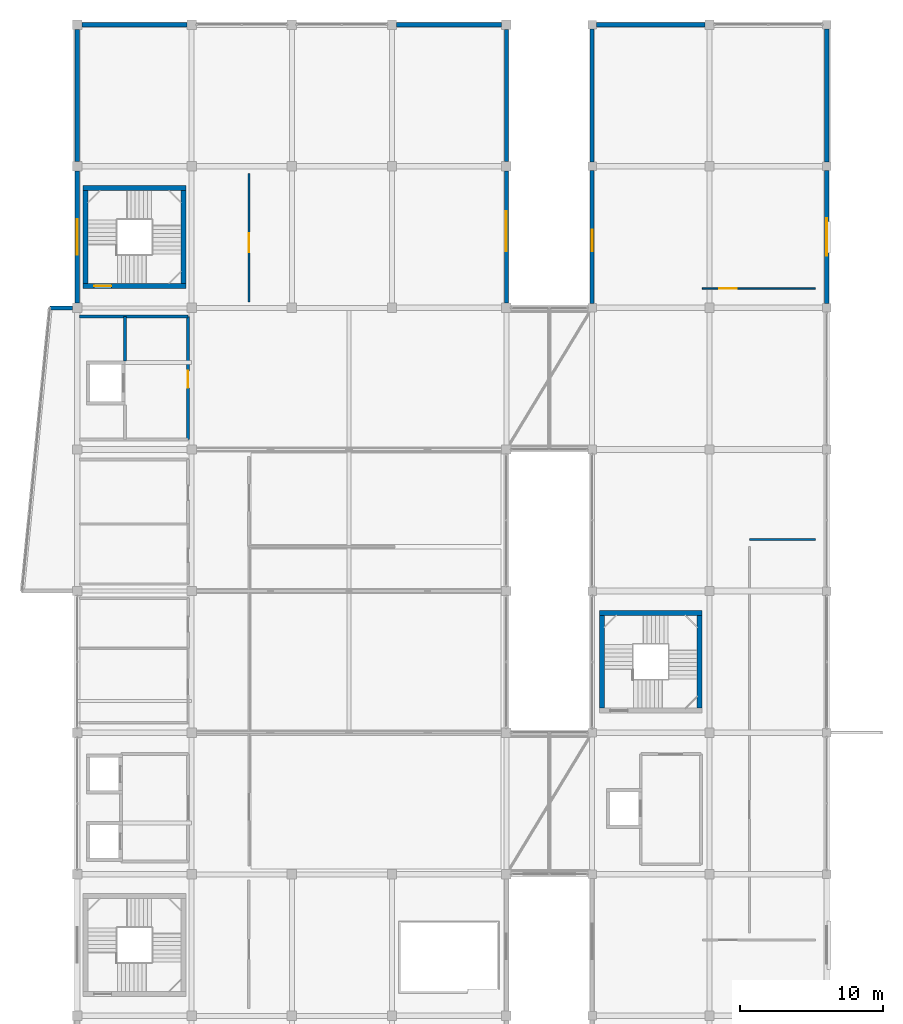
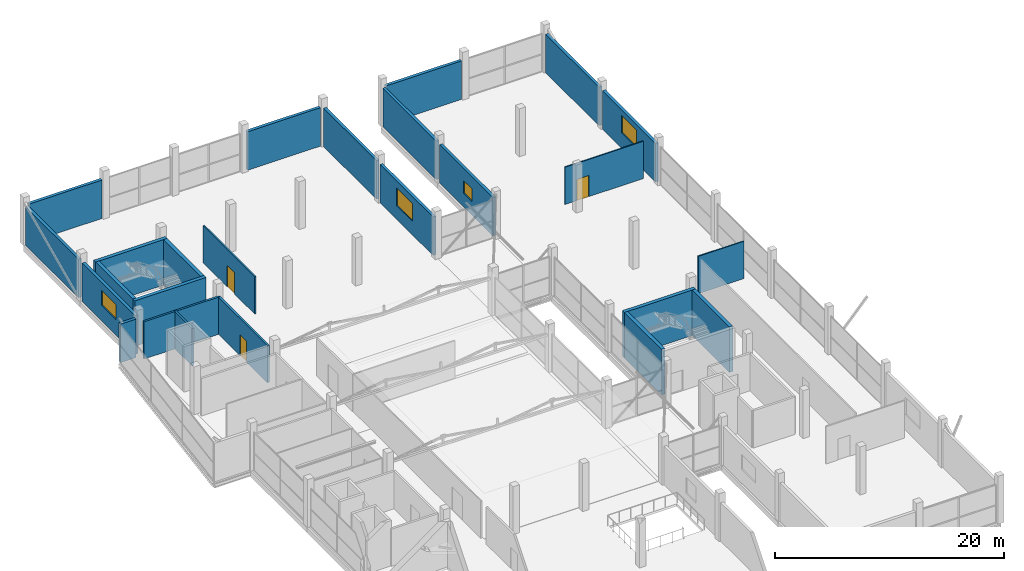
# One storey, part 49 of 58: 25 walls, 4 doors, 4 windows, 8 openings.
"""IFC4 building model written with IfcOpenShell, lengths in metres."""

from ifc_helpers import new_model, si_unit, direction, frame, frame_2d, origin, place, context, subcontext, project, spatial, rectangle, extrude, material, layer, layer_set, type_object, element, fill, save


model = new_model("IFC4")

# Units and contexts
model_context = context("Model", 3, precision=1e-05, world=origin(), true_north=direction((0.0, 1.0)))
body_context = subcontext(model_context, "Body", "Model", "MODEL_VIEW")
ifc_project = project(units=[si_unit("LENGTHUNIT", "METRE"), si_unit("AREAUNIT", "SQUARE_METRE"), si_unit("VOLUMEUNIT", "CUBIC_METRE"), si_unit("PLANEANGLEUNIT", "RADIAN"), si_unit("MASSUNIT", "GRAM", prefix="KILO")], contexts=[model_context])

# Site, building, storey
site_placement = place(None, origin())
site = spatial("IfcSite", under=ifc_project, at=site_placement, CompositionType="ELEMENT")
building_placement = place(site_placement, origin())
building = spatial("IfcBuilding", under=site, at=building_placement, Name="Sillaruma Civic Art Gallery", CompositionType="ELEMENT")
storey_placement = place(building_placement, frame((0.0, 0.0, 52.02001953125)))
storey = spatial("IfcBuildingStorey", under=building, at=storey_placement, Name="L10", CompositionType="ELEMENT", Elevation=52.02001953125)

# Wall, opening, door
ifc_material_1 = material(Name="Concrete H40 (40 MPa)", Category="concrete")
ifc_layer_1 = layer(ifc_material_1, 0.35009765625, Name="Concrete H40 (40 MPa)")
ifc_layer_set_1 = layer_set([ifc_layer_1], Name="Concrete H40 (40 MPa)")
wall_type_1 = type_object("IfcWallType", Name="WAL-CORE-350", PredefinedType="SHEAR", material=ifc_layer_set_1)
wall_1_placement = place(storey_placement, frame((62.409912109375, 80.735107421875, 0.0), z_axis=(0.0, 0.0, 1.0), x_axis=(1.0, 0.0, 0.0)))
wall_1 = element("IfcWall", 1, at=wall_1_placement, inside=storey, type_object=wall_type_1, Name="Stair Core Shear Wall W-CORE-350 (ST-02:L10:S)", PredefinedType="SHEAR", context=body_context, shape_type="SweptSolid", body=[
    extrude(rectangle(XDim=7.18017578125, YDim=0.35009765625, at=frame_2d((3.590087890625, 0.0))), origin(), (0.0, 0.0, 1.0), 4.85009765625),
])
opening_1_placement = place(wall_1_placement, frame((0.77001953125, 0.0, 0.0)))
opening_1 = element("IfcOpeningElement", 2, at=opening_1_placement, cuts=wall_1, Name="Opening D-STAIR", PredefinedType="OPENING", context=body_context, shape_type="SweptSolid", body=[
    extrude(rectangle(XDim=1.199951171875, YDim=2.199951171875, at=frame_2d((0.60009765625, 1.10009765625))), frame((0.0, 0.18505859375, 0.0), z_axis=(0.0, -1.0, 0.0), x_axis=(1.0, 0.0, 0.0)), (0.0, 0.0, 1.0), 0.3701171875),
])
ifc_material_2 = material(Name="Galvanised Steel ASTM A653 Gr.50", Category="steel")
door_type_1 = type_object("IfcDoorType", Name="DOR-STAIR-120", OperationType="NOTDEFINED", PredefinedType="DOOR", material=ifc_material_2)
door_1_placement = place(opening_1_placement, origin())
door_1 = element("IfcDoor", 3, at=door_1_placement, inside=storey, type_object=door_type_1, Name="Protected Stair Fire Door (ST-02:L10)", OperationType="SINGLE_SWING_RIGHT", OverallHeight=2.199951171875, OverallWidth=1.199951171875, PredefinedType="DOOR", context=body_context, shape_type="SweptSolid", body=[
    extrude(rectangle(XDim=1.199951171875, YDim=2.199951171875, at=frame_2d((0.60009765625, 1.10009765625))), frame((0.0, 0.02490234375, 0.0), z_axis=(0.0, -1.0, 0.0), x_axis=(1.0, 0.0, 0.0)), (0.0, 0.0, 1.0), 0.050048828125),
])
fill(opening_1, door_1)

# Walls
wall_2_placement = place(storey_placement, frame((62.409912109375, 87.56494140625, 0.0), z_axis=(0.0, 0.0, 1.0), x_axis=(1.0, 0.0, 0.0)))
element("IfcWall", 4, at=wall_2_placement, inside=storey, type_object=wall_type_1, Name="Stair Core Shear Wall W-CORE-350 (ST-02:L10:N)", PredefinedType="SHEAR", context=body_context, shape_type="SweptSolid", body=[
    extrude(rectangle(XDim=7.18017578125, YDim=0.35009765625, at=frame_2d((3.590087890625, 0.0))), origin(), (0.0, 0.0, 1.0), 4.85009765625),
])
for number, where, z_axis, x_axis, name in (
    (5, (62.5849609375, 80.909912109375, 0.0), (0.0, 0.0, 1.0), (0.0, 1.0, 0.0), "Stair Core Shear Wall W-CORE-350 (ST-02:L10:W)"),
    (6, (69.4150390625, 80.909912109375, 0.0), (0.0, 0.0, 1.0), (0.0, 1.0, 0.0), "Stair Core Shear Wall W-CORE-350 (ST-02:L10:E)"),
):
    element("IfcWall", number, at=place(storey_placement, frame(where, z_axis=z_axis, x_axis=x_axis)), inside=storey, type_object=wall_type_1, Name=name, PredefinedType="SHEAR", context=body_context, shape_type="SweptSolid", body=[
        extrude(rectangle(XDim=6.47998046875, YDim=0.35009765625, at=frame_2d((3.239990234375, 0.0))), origin(), (0.0, 0.0, 1.0), 4.85009765625),
    ])
wall_3_placement = place(storey_placement, frame((98.510009765625, 57.864990234375, 0.0), z_axis=(0.0, 0.0, 1.0), x_axis=(1.0, 0.0, 0.0)))
element("IfcWall", 7, at=wall_3_placement, inside=storey, type_object=wall_type_1, Name="Stair Core Shear Wall W-CORE-350 (ST-04:L10:N)", PredefinedType="SHEAR", context=body_context, shape_type="SweptSolid", body=[
    extrude(rectangle(XDim=7.179931640625, YDim=0.35009765625, at=frame_2d((3.58984375, 0.0))), origin(), (0.0, 0.0, 1.0), 4.85009765625),
])
for number, where, z_axis, x_axis, name in (
    (8, (98.68505859375, 51.2099609375, 0.0), (0.0, 0.0, 1.0), (0.0, 1.0, 0.0), "Stair Core Shear Wall W-CORE-350 (ST-04:L10:W)"),
    (9, (105.514892578125, 51.2099609375, 0.0), (0.0, 0.0, 1.0), (0.0, 1.0, 0.0), "Stair Core Shear Wall W-CORE-350 (ST-04:L10:E)"),
):
    element("IfcWall", number, at=place(storey_placement, frame(where, z_axis=z_axis, x_axis=x_axis)), inside=storey, type_object=wall_type_1, Name=name, PredefinedType="SHEAR", context=body_context, shape_type="SweptSolid", body=[
        extrude(rectangle(XDim=6.47998046875, YDim=0.35009765625, at=frame_2d((3.239990234375, 0.0))), origin(), (0.0, 0.0, 1.0), 4.85009765625),
    ])

# Wall, opening, window
ifc_material_3 = material(Name="Concrete H35 (35 MPa)", Category="concrete")
ifc_layer_2 = layer(ifc_material_3, 0.159912109375, Name="Concrete backup", Category="concrete")
ifc_material_4 = material(Name="Mineral Wool Thermal Insulation", Category="insulation")
ifc_layer_3 = layer(ifc_material_4, 0.090087890625, Name="Thermal insulation", Category="insulation")
ifc_material_5 = material(Name="Anodised Zinc-Aluminium Alloy", Category="aluminium")
ifc_layer_4 = layer(ifc_material_5, 0.030029296875, Name="Rainscreen finish", Category="aluminium")
ifc_layer_set_2 = layer_set([ifc_layer_2, ifc_layer_3, ifc_layer_4], Name="W-EXT-280")
wall_type_2 = type_object("IfcWallType", Name="WAL-EXT-280", PredefinedType="SOLIDWALL", material=ifc_layer_set_2)
wall_4_placement = place(storey_placement, frame((92.0, 79.52490234375, 0.0), z_axis=(0.0, 0.0, 1.0), x_axis=(0.0, 1.0, 0.0)))
wall_4 = element("IfcWall", 10, at=wall_4_placement, inside=storey, type_object=wall_type_2, Name="Exterior Wall W-EXT-280 (EW-L10-WBE-7)", PredefinedType="SOLIDWALL", context=body_context, shape_type="SweptSolid", body=[
    extrude(rectangle(XDim=9.25, YDim=0.280029296875, at=frame_2d((4.625, 0.0))), origin(), (0.0, 0.0, 1.0), 4.10009765625),
])
opening_2_placement = place(wall_4_placement, frame((3.625, 0.0, 1.449951171875)))
opening_2 = element("IfcOpeningElement", 11, at=opening_2_placement, cuts=wall_4, Name="Opening WN-09", PredefinedType="OPENING", context=body_context, shape_type="SweptSolid", body=[
    extrude(rectangle(XDim=2.800048828125, YDim=1.89990234375, at=frame_2d((1.39990234375, 0.949951171875))), frame((0.0, 0.14990234375, 0.0), z_axis=(0.0, -1.0, 0.0), x_axis=(1.0, 0.0, 0.0)), (0.0, 0.0, 1.0), 0.300048828125),
])
ifc_material_6 = material(Name="Thermally Broken Extruded Aluminium 6063-T6", Category="aluminium")
window_type_1 = type_object("IfcWindowType", Name="WIN-W09", PartitioningType="SINGLE_PANEL", PredefinedType="WINDOW", material=ifc_material_6)
window_1_placement = place(opening_2_placement, origin())
window_1 = element("IfcWindow", 12, at=window_1_placement, inside=storey, type_object=window_type_1, Name="Window WN-09 (EW-L10-WBE-7-1)", OverallHeight=1.89990234375, OverallWidth=2.800048828125, PartitioningType="SINGLE_PANEL", PredefinedType="WINDOW", context=body_context, shape_type="SweptSolid", body=[
    extrude(rectangle(XDim=2.800048828125, YDim=1.89990234375, at=frame_2d((1.39990234375, 0.949951171875))), frame((0.0, 0.030029296875, 0.0), z_axis=(0.0, -1.0, 0.0), x_axis=(1.0, 0.0, 0.0)), (0.0, 0.0, 1.0), 0.06005859375),
])
fill(opening_2, window_1)

# Wall
wall_5_placement = place(storey_placement, frame((92.0, 89.425048828125, 0.0), z_axis=(0.0, 0.0, 1.0), x_axis=(0.0, 1.0, 0.0)))
element("IfcWall", 13, at=wall_5_placement, inside=storey, type_object=wall_type_2, Name="Exterior Wall W-EXT-280 (EW-L10-WBE-8)", PredefinedType="SOLIDWALL", context=body_context, shape_type="SweptSolid", body=[
    extrude(rectangle(XDim=9.25, YDim=0.280029296875, at=frame_2d((4.625, 0.0))), origin(), (0.0, 0.0, 1.0), 4.10009765625),
])

# Wall, opening, window
wall_6_placement = place(storey_placement, frame((98.0, 79.5, 0.0), z_axis=(0.0, 0.0, 1.0), x_axis=(0.0, 1.0, 0.0)))
wall_6 = element("IfcWall", 14, at=wall_6_placement, inside=storey, type_object=wall_type_2, Name="Exterior Wall W-EXT-280 (EW-L10-EBW-7)", PredefinedType="SOLIDWALL", context=body_context, shape_type="SweptSolid", body=[
    extrude(rectangle(XDim=9.300048828125, YDim=0.280029296875, at=frame_2d((4.64990234375, 0.0))), origin(), (0.0, 0.0, 1.0), 4.10009765625),
])
opening_3_placement = place(wall_6_placement, frame((3.64990234375, 0.0, 1.449951171875)))
opening_3 = element("IfcOpeningElement", 15, at=opening_3_placement, cuts=wall_6, Name="Opening WN-16", PredefinedType="OPENING", context=body_context, shape_type="SweptSolid", body=[
    extrude(rectangle(XDim=1.5, YDim=1.35009765625, at=frame_2d((0.75, 0.675048828125))), frame((0.0, 0.14990234375, 0.0), z_axis=(0.0, -1.0, 0.0), x_axis=(1.0, 0.0, 0.0)), (0.0, 0.0, 1.0), 0.300048828125),
])
window_type_2 = type_object("IfcWindowType", Name="WIN-W16", PartitioningType="SINGLE_PANEL", PredefinedType="WINDOW", material=ifc_material_6)
window_2_placement = place(opening_3_placement, origin())
window_2 = element("IfcWindow", 16, at=window_2_placement, inside=storey, type_object=window_type_2, Name="Window WN-16 (EW-L10-EBW-7-1)", OverallHeight=1.35009765625, OverallWidth=1.5, PartitioningType="SINGLE_PANEL", PredefinedType="WINDOW", context=body_context, shape_type="SweptSolid", body=[
    extrude(rectangle(XDim=1.5, YDim=1.35009765625, at=frame_2d((0.75, 0.675048828125))), frame((0.0, 0.030029296875, 0.0), z_axis=(0.0, -1.0, 0.0), x_axis=(1.0, 0.0, 0.0)), (0.0, 0.0, 1.0), 0.06005859375),
])
fill(opening_3, window_2)

# Walls
wall_7_placement = place(storey_placement, frame((98.0, 89.39990234375, 0.0), z_axis=(0.0, 0.0, 1.0), x_axis=(0.0, 1.0, 0.0)))
element("IfcWall", 17, at=wall_7_placement, inside=storey, type_object=wall_type_2, Name="Exterior Wall W-EXT-280 (EW-L10-EBW-8)", PredefinedType="SOLIDWALL", context=body_context, shape_type="SweptSolid", body=[
    extrude(rectangle(XDim=9.300048828125, YDim=0.280029296875, at=frame_2d((4.64990234375, 0.0))), origin(), (0.0, 0.0, 1.0), 4.10009765625),
])
wall_8_placement = place(storey_placement, frame((61.675048828125, 79.199951171875, 0.0), z_axis=(0.0, 0.0, 1.0), x_axis=(-1.0, 0.0, 0.0)))
element("IfcWall", 18, at=wall_8_placement, inside=storey, type_object=wall_type_2, Name="Exterior Wall W-EXT-280 (EW-PRW-L10-W-S1)", PredefinedType="SOLIDWALL", context=body_context, shape_type="SweptSolid", body=[
    extrude(rectangle(XDim=1.574951171875, YDim=0.280029296875, at=frame_2d((0.78759765625, 0.0))), origin(), (0.0, 0.0, 1.0), 4.10009765625),
])
ifc_layer_5 = layer(ifc_material_3, 0.169921875, Name="Concrete backup", Category="concrete")
ifc_layer_6 = layer(ifc_material_4, 0.090087890625, Name="Thermal insulation", Category="insulation")
ifc_layer_7 = layer(ifc_material_5, 0.030029296875, Name="Rainscreen finish", Category="aluminium")
ifc_layer_set_3 = layer_set([ifc_layer_5, ifc_layer_6, ifc_layer_7], Name="W-EXT-290")
wall_type_3 = type_object("IfcWallType", Name="WAL-EXT-290", PredefinedType="SOLIDWALL", material=ifc_layer_set_3)
wall_9_placement = place(storey_placement, frame((62.0, 89.425048828125, 0.0), z_axis=(0.0, 0.0, 1.0), x_axis=(0.0, 1.0, 0.0)))
element("IfcWall", 19, at=wall_9_placement, inside=storey, type_object=wall_type_3, Name="Exterior Wall W-EXT-290 (EW-L10-WBW-8)", PredefinedType="SOLIDWALL", context=body_context, shape_type="SweptSolid", body=[
    extrude(rectangle(XDim=9.25, YDim=0.2900390625, at=frame_2d((4.625, 0.0))), origin(), (0.0, 0.0, 1.0), 4.10009765625),
])
wall_10_placement = place(storey_placement, frame((114.39990234375, 89.39990234375, 0.0), z_axis=(0.0, 0.0, 1.0), x_axis=(0.0, 1.0, 0.0)))
element("IfcWall", 20, at=wall_10_placement, inside=storey, type_object=wall_type_3, Name="Exterior Wall W-EXT-290 (EW-L10-EBE-8)", PredefinedType="SOLIDWALL", context=body_context, shape_type="SweptSolid", body=[
    extrude(rectangle(XDim=9.300048828125, YDim=0.2900390625, at=frame_2d((4.64990234375, 0.0))), origin(), (0.0, 0.0, 1.0), 4.10009765625),
])

# Wall, opening, window
ifc_material_7 = material(Name="Precast Concrete H35 (35 MPa)", Category="concrete")
ifc_layer_8 = layer(ifc_material_7, 0.179931640625, Name="Precast backup", Category="concrete")
ifc_layer_9 = layer(ifc_material_4, 0.090087890625, Name="Thermal insulation", Category="insulation")
ifc_material_8 = material(Name="Comanche Granitic Ashlar Stone", Category="masonry")
ifc_layer_10 = layer(ifc_material_8, 0.030029296875, Name="Rainscreen cladding", Category="masonry")
ifc_layer_set_4 = layer_set([ifc_layer_8, ifc_layer_9, ifc_layer_10], Name="W-EXT-300")
wall_type_4 = type_object("IfcWallType", Name="WAL-EXT-300", PredefinedType="SOLIDWALL", material=ifc_layer_set_4)
wall_11_placement = place(storey_placement, frame((62.0, 79.52490234375, 0.0), z_axis=(0.0, 0.0, 1.0), x_axis=(0.0, 1.0, 0.0)))
wall_11 = element("IfcWall", 21, at=wall_11_placement, inside=storey, type_object=wall_type_4, Name="Exterior Wall W-EXT-300 (EW-L10-WBW-7)", PredefinedType="SOLIDWALL", context=body_context, shape_type="SweptSolid", body=[
    extrude(rectangle(XDim=9.25, YDim=0.300048828125, at=frame_2d((4.625, 0.0))), origin(), (0.0, 0.0, 1.0), 4.10009765625),
])
opening_4_placement = place(wall_11_placement, frame((3.375, 0.0, 1.64990234375)))
opening_4 = element("IfcOpeningElement", 22, at=opening_4_placement, cuts=wall_11, Name="Opening WN-11", PredefinedType="OPENING", context=body_context, shape_type="SweptSolid", body=[
    extrude(rectangle(XDim=2.5, YDim=1.60009765625, at=frame_2d((1.25, 0.800048828125))), frame((0.0, 0.159912109375, 0.0), z_axis=(0.0, -1.0, 0.0), x_axis=(1.0, 0.0, 0.0)), (0.0, 0.0, 1.0), 0.320068359375),
])
window_type_3 = type_object("IfcWindowType", Name="WIN-W11", PartitioningType="SINGLE_PANEL", PredefinedType="WINDOW", material=ifc_material_6)
window_3_placement = place(opening_4_placement, origin())
window_3 = element("IfcWindow", 23, at=window_3_placement, inside=storey, type_object=window_type_3, Name="Window WN-11 (EW-L10-WBW-7-1)", OverallHeight=1.60009765625, OverallWidth=2.5, PartitioningType="SINGLE_PANEL", PredefinedType="WINDOW", context=body_context, shape_type="SweptSolid", body=[
    extrude(rectangle(XDim=2.5, YDim=1.60009765625, at=frame_2d((1.25, 0.800048828125))), frame((0.0, 0.030029296875, 0.0), z_axis=(0.0, -1.0, 0.0), x_axis=(1.0, 0.0, 0.0)), (0.0, 0.0, 1.0), 0.06005859375),
])
fill(opening_4, window_3)

# Walls
for number, where, z_axis, x_axis, name in (
    (24, (62.324951171875, 99.0, 0.0), (0.0, 0.0, 1.0), (1.0, 0.0, 0.0), "Exterior Wall W-EXT-300 (EW-L10-WBN-1)"),
    (25, (84.324951171875, 99.0, 0.0), (0.0, 0.0, 1.0), (1.0, 0.0, 0.0), "Exterior Wall W-EXT-300 (EW-L10-WBN-4)"),
):
    element("IfcWall", number, at=place(storey_placement, frame(where, z_axis=z_axis, x_axis=x_axis)), inside=storey, type_object=wall_type_4, Name=name, PredefinedType="SOLIDWALL", context=body_context, shape_type="SweptSolid", body=[
        extrude(rectangle(XDim=7.35009765625, YDim=0.300048828125, at=frame_2d((3.675048828125, 0.0))), origin(), (0.0, 0.0, 1.0), 4.10009765625),
    ])

# Wall, opening, window
wall_12_placement = place(storey_placement, frame((114.39990234375, 79.5, 0.0), z_axis=(0.0, 0.0, 1.0), x_axis=(0.0, 1.0, 0.0)))
wall_12 = element("IfcWall", 26, at=wall_12_placement, inside=storey, type_object=wall_type_4, Name="Exterior Wall W-EXT-300 (EW-L10-EBE-7)", PredefinedType="SOLIDWALL", context=body_context, shape_type="SweptSolid", body=[
    extrude(rectangle(XDim=9.300048828125, YDim=0.300048828125, at=frame_2d((4.64990234375, 0.0))), origin(), (0.0, 0.0, 1.0), 4.10009765625),
])
opening_5_placement = place(wall_12_placement, frame((3.35009765625, 0.0, 1.64990234375)))
opening_5 = element("IfcOpeningElement", 27, at=opening_5_placement, cuts=wall_12, Name="Opening WN-08", PredefinedType="OPENING", context=body_context, shape_type="SweptSolid", body=[
    extrude(rectangle(XDim=2.60009765625, YDim=1.85009765625, at=frame_2d((1.300048828125, 0.925048828125))), frame((0.0, 0.159912109375, 0.0), z_axis=(0.0, -1.0, 0.0), x_axis=(1.0, 0.0, 0.0)), (0.0, 0.0, 1.0), 0.320068359375),
])
window_type_4 = type_object("IfcWindowType", Name="WIN-W08", PartitioningType="SINGLE_PANEL", PredefinedType="WINDOW", material=ifc_material_6)
window_4_placement = place(opening_5_placement, origin())
window_4 = element("IfcWindow", 28, at=window_4_placement, inside=storey, type_object=window_type_4, Name="Window WN-08 (EW-L10-EBE-7-1)", OverallHeight=1.85009765625, OverallWidth=2.60009765625, PartitioningType="SINGLE_PANEL", PredefinedType="WINDOW", context=body_context, shape_type="SweptSolid", body=[
    extrude(rectangle(XDim=2.60009765625, YDim=1.85009765625, at=frame_2d((1.300048828125, 0.925048828125))), frame((0.0, 0.030029296875, 0.0), z_axis=(0.0, -1.0, 0.0), x_axis=(1.0, 0.0, 0.0)), (0.0, 0.0, 1.0), 0.06005859375),
])
fill(opening_5, window_4)

# Walls
wall_13_placement = place(storey_placement, frame((98.300048828125, 99.0, 0.0), z_axis=(0.0, 0.0, 1.0), x_axis=(1.0, 0.0, 0.0)))
element("IfcWall", 29, at=wall_13_placement, inside=storey, type_object=wall_type_4, Name="Exterior Wall W-EXT-300 (EW-L10-EBN-1)", PredefinedType="SOLIDWALL", context=body_context, shape_type="SweptSolid", body=[
    extrude(rectangle(XDim=7.574951171875, YDim=0.300048828125, at=frame_2d((3.78759765625, 0.0))), origin(), (0.0, 0.0, 1.0), 4.10009765625),
])
ifc_material_9 = material(Name="Concrete Masonry Unit Grade M15", Category="masonry")
ifc_layer_11 = layer(ifc_material_9, 0.199951171875, Name="Concrete Masonry Unit Grade M15")
ifc_layer_set_5 = layer_set([ifc_layer_11], Name="Concrete Masonry Unit Grade M15")
wall_type_5 = type_object("IfcWallType", Name="WAL-LOBBY-200", PredefinedType="SOLIDWALL", material=ifc_layer_set_5)
wall_14_placement = place(storey_placement, frame((62.14990234375, 78.60009765625, 0.0), z_axis=(0.0, 0.0, 1.0), x_axis=(1.0, 0.0, 0.0)))
element("IfcWall", 30, at=wall_14_placement, inside=storey, type_object=wall_type_5, Name="Interior Wall W-LOBBY-200 (L10-FFL)", PredefinedType="SOLIDWALL", context=body_context, shape_type="SweptSolid", body=[
    extrude(rectangle(XDim=7.60009765625, YDim=0.199951171875, at=frame_2d((3.800048828125, 0.0))), origin(), (0.0, 0.0, 1.0), 3.969970703125),
])
wall_15_placement = place(storey_placement, frame((65.35009765625, 75.5, 0.0), z_axis=(0.0, 0.0, 1.0), x_axis=(0.0, 1.0, 0.0)))
element("IfcWall", 31, at=wall_15_placement, inside=storey, type_object=wall_type_5, Name="Interior Wall W-LOBBY-200 (L10-FFL)", PredefinedType="SOLIDWALL", context=body_context, shape_type="SweptSolid", body=[
    extrude(rectangle(XDim=3.10009765625, YDim=0.199951171875, at=frame_2d((1.550048828125, 0.0))), origin(), (0.0, 0.0, 1.0), 3.969970703125),
])

# Wall, opening, door
wall_16_placement = place(storey_placement, frame((69.75, 70.0, 0.0), z_axis=(0.0, 0.0, 1.0), x_axis=(0.0, 1.0, 0.0)))
wall_16 = element("IfcWall", 32, at=wall_16_placement, inside=storey, type_object=wall_type_5, Name="Interior Wall W-LOBBY-200 (L10-FFL)", PredefinedType="SOLIDWALL", context=body_context, shape_type="SweptSolid", body=[
    extrude(rectangle(XDim=8.60009765625, YDim=0.199951171875, at=frame_2d((4.300048828125, 0.0))), origin(), (0.0, 0.0, 1.0), 3.969970703125),
])
opening_6_placement = place(wall_16_placement, frame((3.60009765625, 0.0, 0.0)))
opening_6 = element("IfcOpeningElement", 33, at=opening_6_placement, cuts=wall_16, Name="Opening D-FFL", PredefinedType="OPENING", context=body_context, shape_type="SweptSolid", body=[
    extrude(rectangle(XDim=1.199951171875, YDim=2.25, at=frame_2d((0.60009765625, 1.125))), frame((0.0, 0.10986328125, 0.0), z_axis=(0.0, -1.0, 0.0), x_axis=(1.0, 0.0, 0.0)), (0.0, 0.0, 1.0), 0.219970703125),
])
door_type_2 = type_object("IfcDoorType", Name="DOR-FFL-120", OperationType="NOTDEFINED", PredefinedType="DOOR", material=ifc_material_2)
door_2_placement = place(opening_6_placement, origin())
door_2 = element("IfcDoor", 34, at=door_2_placement, inside=storey, type_object=door_type_2, Name="Firefighting Lobby Door (D-FFL)", OperationType="SINGLE_SWING_RIGHT", OverallHeight=2.25, OverallWidth=1.199951171875, PredefinedType="DOOR", context=body_context, shape_type="SweptSolid", body=[
    extrude(rectangle(XDim=1.199951171875, YDim=2.25, at=frame_2d((0.60009765625, 1.125))), frame((0.0, 0.02490234375, 0.0), z_axis=(0.0, -1.0, 0.0), x_axis=(1.0, 0.0, 0.0)), (0.0, 0.0, 1.0), 0.050048828125),
])
fill(opening_6, door_2)

ifc_material_10 = material(Name="Gypsum Acoustic Board", Category="gypsum")
ifc_layer_12 = layer(ifc_material_10, 0.02490234375, Name="Finish board", Category="gypsum")
ifc_layer_13 = layer(ifc_material_4, 0.06005859375, Name="Acoustic core", Category="insulation")
ifc_material_11 = material(Name="Andean Oak Timber", Category="wood")
ifc_layer_14 = layer(ifc_material_11, 0.02490234375, Name="Gallery lining", Category="wood")
ifc_layer_set_6 = layer_set([ifc_layer_12, ifc_layer_13, ifc_layer_14], Name="W-PT-110")
wall_type_6 = type_object("IfcWallType", Name="WAL-PART-110", PredefinedType="PARTITIONING", material=ifc_layer_set_6)
wall_17_placement = place(storey_placement, frame((105.699951171875, 80.550048828125, 0.0), z_axis=(0.0, 0.0, 1.0), x_axis=(1.0, 0.0, 0.0)))
wall_17 = element("IfcWall", 35, at=wall_17_placement, inside=storey, type_object=wall_type_6, Name="Interior Wall W-PT-110 (L10-STDE3)", PredefinedType="PARTITIONING", context=body_context, shape_type="SweptSolid", body=[
    extrude(rectangle(XDim=7.900146484375, YDim=0.110107421875, at=frame_2d((3.9501953125, 0.0))), origin(), (0.0, 0.0, 1.0), 3.969970703125),
])
opening_7_placement = place(wall_17_placement, frame((1.199951171875, 0.0, 0.0)))
opening_7 = element("IfcOpeningElement", 36, at=opening_7_placement, cuts=wall_17, Name="Opening D-STD12", PredefinedType="OPENING", context=body_context, shape_type="SweptSolid", body=[
    extrude(rectangle(XDim=1.199951171875, YDim=2.25, at=frame_2d((0.60009765625, 1.125))), frame((0.0, 0.06494140625, 0.0), z_axis=(0.0, -1.0, 0.0), x_axis=(1.0, 0.0, 0.0)), (0.0, 0.0, 1.0), 0.130126953125),
])
door_type_3 = type_object("IfcDoorType", Name="DOR-STD-120", OperationType="NOTDEFINED", PredefinedType="DOOR", material=ifc_material_11)
door_3_placement = place(opening_7_placement, origin())
door_3 = element("IfcDoor", 37, at=door_3_placement, inside=storey, type_object=door_type_3, Name="East Wing North Artist Studio (L10) Door (D-STD12)", OperationType="SINGLE_SWING_LEFT", OverallHeight=2.25, OverallWidth=1.199951171875, PredefinedType="DOOR", context=body_context, shape_type="SweptSolid", body=[
    extrude(rectangle(XDim=1.199951171875, YDim=2.25, at=frame_2d((0.60009765625, 1.125))), frame((0.0, 0.02490234375, 0.0), z_axis=(0.0, -1.0, 0.0), x_axis=(1.0, 0.0, 0.0)), (0.0, 0.0, 1.0), 0.050048828125),
])
fill(opening_7, door_3)

# Wall
ifc_layer_15 = layer(ifc_material_10, 0.02490234375, Name="Finish board", Category="gypsum")
ifc_layer_16 = layer(ifc_material_4, 0.070068359375, Name="Acoustic core", Category="insulation")
ifc_layer_17 = layer(ifc_material_11, 0.02490234375, Name="Gallery lining", Category="wood")
ifc_layer_set_7 = layer_set([ifc_layer_15, ifc_layer_16, ifc_layer_17], Name="W-PT-120")
wall_type_7 = type_object("IfcWallType", Name="WAL-PART-120", PredefinedType="PARTITIONING", material=ifc_layer_set_7)
wall_18_placement = place(storey_placement, frame((109.0, 63.0, 0.0), z_axis=(0.0, 0.0, 1.0), x_axis=(1.0, 0.0, 0.0)))
element("IfcWall", 38, at=wall_18_placement, inside=storey, type_object=wall_type_7, Name="Interior Wall W-PT-120 (L10-STDE2)", PredefinedType="PARTITIONING", context=body_context, shape_type="SweptSolid", body=[
    extrude(rectangle(XDim=4.60009765625, YDim=0.1201171875, at=frame_2d((2.300048828125, 0.0))), origin(), (0.0, 0.0, 1.0), 3.969970703125),
])

# Wall, opening, door
ifc_layer_18 = layer(ifc_material_10, 0.02490234375, Name="Finish board", Category="gypsum")
ifc_layer_19 = layer(ifc_material_4, 0.10009765625, Name="Acoustic core", Category="insulation")
ifc_layer_20 = layer(ifc_material_11, 0.02490234375, Name="Gallery lining", Category="wood")
ifc_layer_set_8 = layer_set([ifc_layer_18, ifc_layer_19, ifc_layer_20], Name="W-PT-150")
wall_type_8 = type_object("IfcWallType", Name="WAL-PART-150", PredefinedType="PARTITIONING", material=ifc_layer_set_8)
wall_19_placement = place(storey_placement, frame((74.0, 79.60009765625, 0.0), z_axis=(0.0, 0.0, 1.0), x_axis=(0.0, 1.0, 0.0)))
wall_19 = element("IfcWall", 39, at=wall_19_placement, inside=storey, type_object=wall_type_8, Name="Interior Wall W-PT-150 (L10-STDW1)", PredefinedType="PARTITIONING", context=body_context, shape_type="SweptSolid", body=[
    extrude(rectangle(XDim=9.0, YDim=0.14990234375, at=frame_2d((4.5, 0.0))), origin(), (0.0, 0.0, 1.0), 3.969970703125),
])
opening_8_placement = place(wall_19_placement, frame((3.5, 0.0, 0.0)))
opening_8 = element("IfcOpeningElement", 40, at=opening_8_placement, cuts=wall_19, Name="Opening D-STD13", PredefinedType="OPENING", context=body_context, shape_type="SweptSolid", body=[
    extrude(rectangle(XDim=1.300048828125, YDim=2.25, at=frame_2d((0.64990234375, 1.125))), frame((0.0, 0.0849609375, 0.0), z_axis=(0.0, -1.0, 0.0), x_axis=(1.0, 0.0, 0.0)), (0.0, 0.0, 1.0), 0.169921875),
])
door_type_4 = type_object("IfcDoorType", Name="DOR-STD-130", OperationType="NOTDEFINED", PredefinedType="DOOR", material=ifc_material_11)
door_4_placement = place(opening_8_placement, origin())
door_4 = element("IfcDoor", 41, at=door_4_placement, inside=storey, type_object=door_type_4, Name="West Wing North Artist Studio (L10) Door (D-STD13)", OperationType="SINGLE_SWING_RIGHT", OverallHeight=2.25, OverallWidth=1.300048828125, PredefinedType="DOOR", context=body_context, shape_type="SweptSolid", body=[
    extrude(rectangle(XDim=1.300048828125, YDim=2.25, at=frame_2d((0.64990234375, 1.125))), frame((0.0, 0.02490234375, 0.0), z_axis=(0.0, -1.0, 0.0), x_axis=(1.0, 0.0, 0.0)), (0.0, 0.0, 1.0), 0.050048828125),
])
fill(opening_8, door_4)

save(model, "model.ifc")
